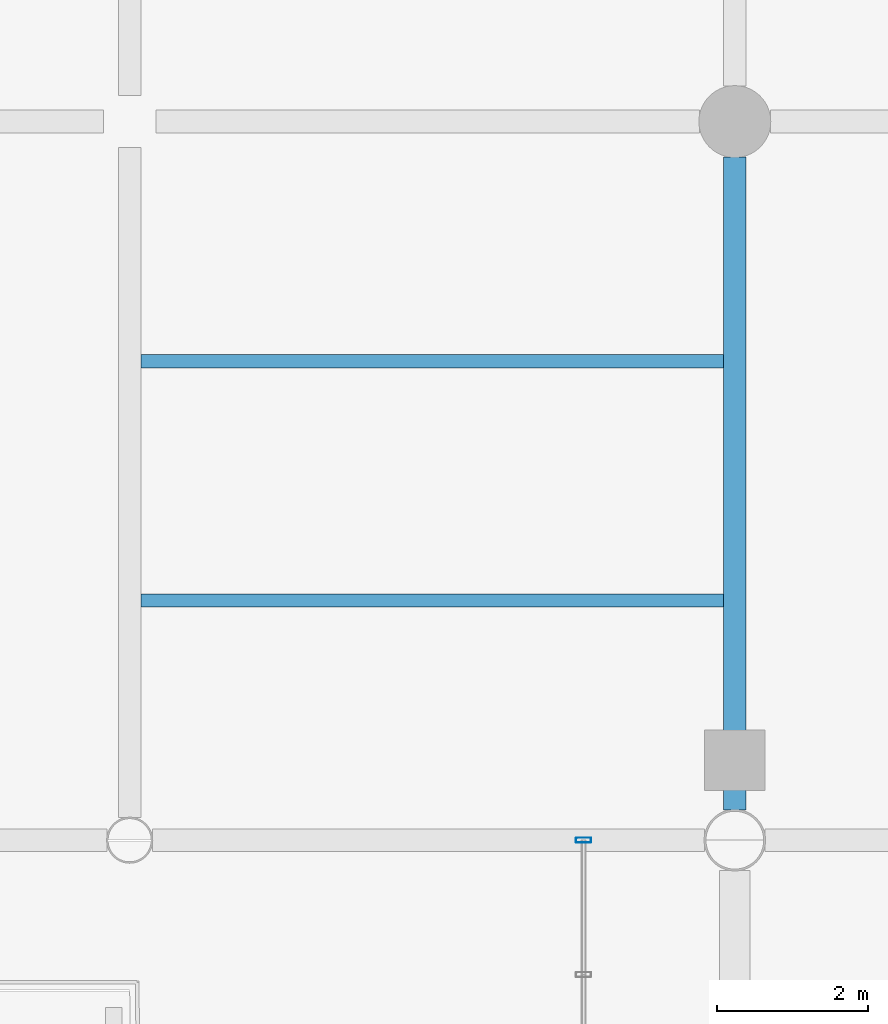
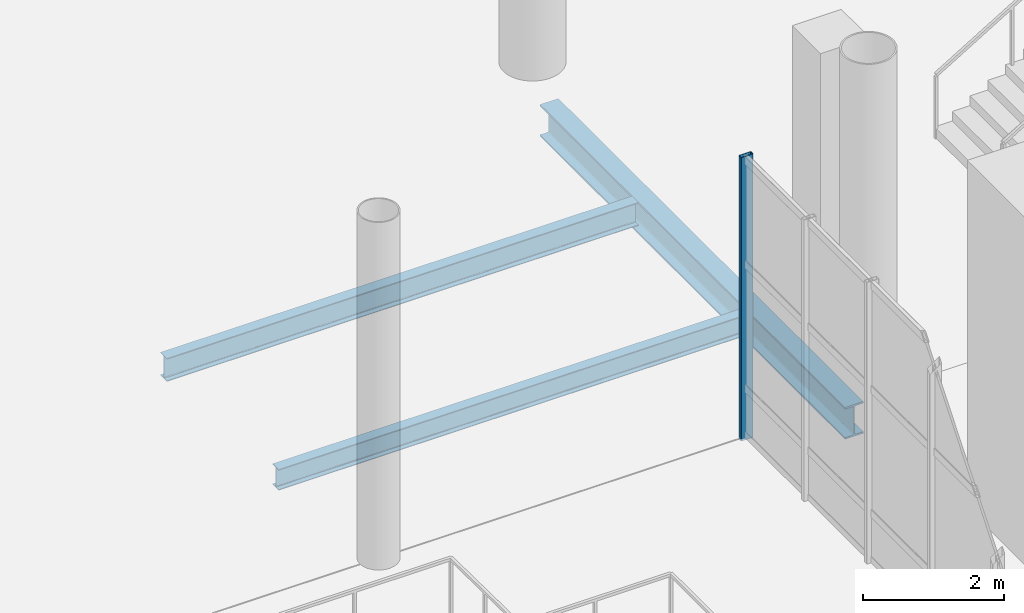
# One storey, part 65 of 163: 3 beams, 1 member, 1 element without a shape of its own.
"""IFC4 building model written with IfcOpenShell, lengths in metres."""

from ifc_helpers import new_model, si_unit, direction, frame, origin, origin_2d, place, context, subcontext, project, spatial, hollow_rectangle, i_section, extrude, material, layer, layer_set, material_profile, profile_set, type_object, element, aggregate, save


model = new_model("IFC4")

# Units and contexts
model_context = context("Model", 3, precision=1e-05, world=origin(), true_north=direction((0.0, 1.0)))
body_context = subcontext(model_context, "Body", "Model", "MODEL_VIEW")
ifc_project = project(units=[si_unit("LENGTHUNIT", "METRE"), si_unit("AREAUNIT", "SQUARE_METRE"), si_unit("VOLUMEUNIT", "CUBIC_METRE"), si_unit("PLANEANGLEUNIT", "RADIAN"), si_unit("MASSUNIT", "GRAM", prefix="KILO")], contexts=[model_context])

# Site, building, storey
site_placement = place(None, origin())
site = spatial("IfcSite", under=ifc_project, at=site_placement, CompositionType="ELEMENT")
building_placement = place(site_placement, origin())
building = spatial("IfcBuilding", under=site, at=building_placement, Name="Khorjan Park Terminus", CompositionType="ELEMENT")
storey_placement = place(building_placement, origin())
storey = spatial("IfcBuildingStorey", under=building, at=storey_placement, Name="L00", CompositionType="ELEMENT", Elevation=0.0)

# Beams
ifc_material_1 = material(Name="Steel S355", Category="steel")
ifc_material_profile_1 = material_profile(ifc_material_1, i_section(OverallWidth=0.3, OverallDepth=0.55, WebThickness=0.015, FlangeThickness=0.029, FilletRadius=0.027, at=origin_2d()), Name="HEB 550")
ifc_profile_set_1 = profile_set([ifc_material_profile_1], Name="Steel S355")
beam_type_1 = type_object("IfcBeamType", Name="BM-HEB550", PredefinedType="BEAM", material=ifc_profile_set_1)
beam_1_placement = place(storey_placement, frame((56.0, 102.4015, -0.675), z_axis=(0.0, 1.0, 0.0), x_axis=(-1.0, 0.0, 0.0)))
element("IfcBeam", 1, at=beam_1_placement, inside=storey, type_object=beam_type_1, Name="Primary floor girder SB-B55 (L00)", PredefinedType="BEAM", context=body_context, shape_type="SweptSolid", body=[
    extrude(i_section(OverallWidth=0.3, OverallDepth=0.55, WebThickness=0.015, FlangeThickness=0.029, FilletRadius=0.027, at=origin_2d()), origin(), (0.0, 0.0, 1.0), 8.6285),
])
ifc_material_profile_2 = material_profile(ifc_material_1, i_section(OverallWidth=0.17, OverallDepth=0.36, WebThickness=0.008, FlangeThickness=0.0127, FilletRadius=0.018, at=origin_2d()), Name="IPE 360")
ifc_profile_set_2 = profile_set([ifc_material_profile_2], Name="Steel S355")
beam_type_2 = type_object("IfcBeamType", Name="JS-IPE360", PredefinedType="JOIST", material=ifc_profile_set_2)
beam_2_placement = place(storey_placement, frame((48.15, 105.1667, -0.58), z_axis=(1.0, 0.0, 0.0), x_axis=(0.0, 1.0, 0.0)))
element("IfcBeam", 2, at=beam_2_placement, inside=storey, type_object=beam_type_2, Name="Secondary composite floor joist SJ-36 (L00)", PredefinedType="JOIST", context=body_context, shape_type="SweptSolid", body=[
    extrude(i_section(OverallWidth=0.17, OverallDepth=0.36, WebThickness=0.008, FlangeThickness=0.0127, FilletRadius=0.018, at=origin_2d()), origin(), (0.0, 0.0, 1.0), 7.7),
])
ifc_material_profile_3 = material_profile(ifc_material_1, i_section(OverallWidth=0.18, OverallDepth=0.4, WebThickness=0.0086, FlangeThickness=0.0135, FilletRadius=0.021, at=origin_2d()), Name="IPE 400")
ifc_profile_set_3 = profile_set([ifc_material_profile_3], Name="Steel S355")
beam_type_3 = type_object("IfcBeamType", Name="JS-IPE400", PredefinedType="JOIST", material=ifc_profile_set_3)
beam_3_placement = place(storey_placement, frame((48.15, 108.3333, -0.6), z_axis=(1.0, 0.0, 0.0), x_axis=(0.0, 1.0, 0.0)))
element("IfcBeam", 3, at=beam_3_placement, inside=storey, type_object=beam_type_3, Name="Secondary composite floor joist SJ-40 (L00)", PredefinedType="JOIST", context=body_context, shape_type="SweptSolid", body=[
    extrude(i_section(OverallWidth=0.18, OverallDepth=0.4, WebThickness=0.0086, FlangeThickness=0.0135, FilletRadius=0.021, at=origin_2d()), origin(), (0.0, 0.0, 1.0), 7.7),
])

# Curtain wall, member
ifc_material_2 = material(Name="Anodized Bronze Aluminium", Category="aluminium")
ifc_layer = layer(ifc_material_2, 0.22)
ifc_layer_set = layer_set([ifc_layer], Name="Anodized Bronze Aluminium")
curtain_wall_type = type_object("IfcCurtainWallType", Name="CW-BRG-D", PredefinedType="NOTDEFINED", material=ifc_layer_set)
curtain_wall_placement = place(storey_placement, origin())
curtain_wall = element("IfcCurtainWall", 4, at=curtain_wall_placement, inside=storey, type_object=curtain_wall_type, Name="Unitized curtain wall CW-D (CW-NKW-W-L00)", PredefinedType="NOTDEFINED")
ifc_material_profile_4 = material_profile(ifc_material_2, hollow_rectangle(XDim=0.07, YDim=0.2, WallThickness=0.005, InnerFilletRadius=0.005, OuterFilletRadius=0.01, at=origin_2d()), Name="ALM 70x200x5")
ifc_profile_set_4 = profile_set([ifc_material_profile_4], Name="Anodized Bronze Aluminium")
member_type = type_object("IfcMemberType", Name="ML-ALM-200", PredefinedType="MULLION", material=ifc_profile_set_4)
member_placement = place(storey_placement, frame((54.0, 102.0, -0.035), z_axis=(0.0, 0.0, 1.0), x_axis=(0.0, -1.0, 0.0)))
member = element("IfcMember", 5, at=member_placement, type_object=member_type, Name="Curtain-wall mullion ML-20 (CW-NKW-W-L00-0)", PredefinedType="MULLION", context=body_context, shape_type="SweptSolid", body=[
    extrude(hollow_rectangle(XDim=0.07, YDim=0.2, WallThickness=0.005, InnerFilletRadius=0.005, OuterFilletRadius=0.01, at=origin_2d()), origin(), (0.0, 0.0, 1.0), 4.895),
])
aggregate(curtain_wall, [member])

save(model, "model.ifc")
